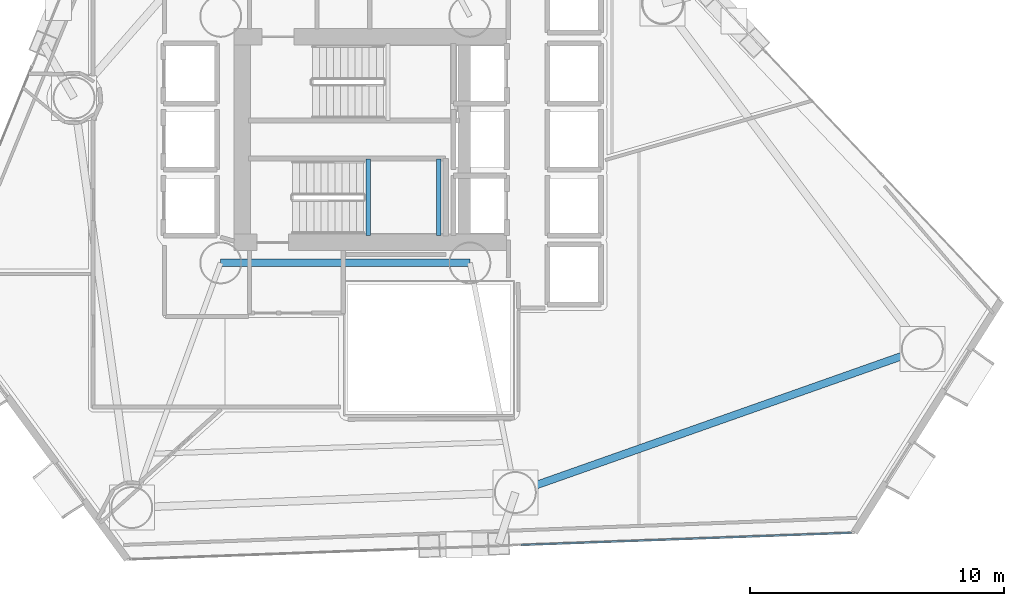
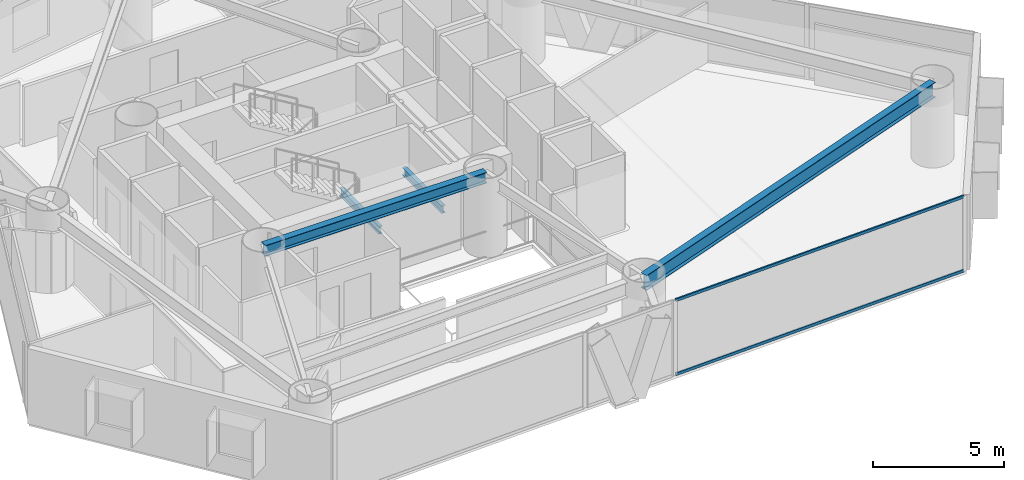
# One storey, part 7 of 23: 4 beams, 2 members, 1 element without a shape of its own.
"""IFC4 building model written with IfcOpenShell, lengths in metres."""

from ifc_helpers import new_model, si_unit, direction, frame, origin, origin_2d, place, context, subcontext, project, spatial, hollow_rectangle, i_section, extrude, material, layer, layer_set, material_profile, profile_set, type_object, element, aggregate, save


model = new_model("IFC4")

# Units and contexts
model_context = context("Model", 3, precision=1e-05, world=origin(), true_north=direction((0.0, 1.0)))
body_context = subcontext(model_context, "Body", "Model", "MODEL_VIEW")
ifc_project = project(units=[si_unit("LENGTHUNIT", "METRE"), si_unit("AREAUNIT", "SQUARE_METRE"), si_unit("VOLUMEUNIT", "CUBIC_METRE"), si_unit("PLANEANGLEUNIT", "RADIAN"), si_unit("MASSUNIT", "GRAM", prefix="KILO")], contexts=[model_context])

# Site, building, storey
site_placement = place(None, origin())
site = spatial("IfcSite", under=ifc_project, at=site_placement, CompositionType="ELEMENT")
building_placement = place(site_placement, origin())
building = spatial("IfcBuilding", under=site, at=building_placement, Name="Qianvela Tower", CompositionType="ELEMENT")
storey_placement = place(building_placement, frame((0.0, 0.0, 52.5)))
storey = spatial("IfcBuildingStorey", under=building, at=storey_placement, Name="L12", CompositionType="ELEMENT", Elevation=52.5)

# Beams
ifc_material_1 = material(Name="Steel Q355B", Category="steel")
ifc_material_profile_1 = material_profile(ifc_material_1, i_section(OverallWidth=0.300048828125, OverallDepth=0.5, WebThickness=0.010986328125, FlangeThickness=0.01806640625, at=origin_2d()), Name="HM500x300x11x18")
ifc_profile_set_1 = profile_set([ifc_material_profile_1], Name="Steel Q355B")
beam_type_1 = type_object("IfcBeamType", Name="BM-HM500-COLL", PredefinedType="BEAM", material=ifc_profile_set_1)
beam_1_placement = place(storey_placement, frame((28.60009765625, 23.85009765625, 3.26806640625), z_axis=(1.0, 0.0, 0.0), x_axis=(0.0, 1.0, 0.0)))
element("IfcBeam", 1, at=beam_1_placement, inside=storey, type_object=beam_type_1, Name="L12 Core Ring Collector Girder CC1", PredefinedType="BEAM", context=body_context, shape_type="SweptSolid", body=[
    extrude(i_section(OverallWidth=0.300048828125, OverallDepth=0.5, WebThickness=0.010986328125, FlangeThickness=0.01806640625, at=origin_2d()), origin(), (0.0, 0.0, 1.0), 9.7998046875),
])
ifc_material_2 = material(Name="Steel Q355B", Category="steel")
ifc_material_profile_2 = material_profile(ifc_material_2, i_section(OverallWidth=0.175048828125, OverallDepth=0.35009765625, WebThickness=0.007080078125, FlangeThickness=0.010986328125, at=origin_2d()), Name="HN350x175x7x11")
ifc_profile_set_2 = profile_set([ifc_material_profile_2], Name="Steel Q355B")
beam_type_2 = type_object("IfcBeamType", Name="BM-HN350-JOIST", PredefinedType="JOIST", material=ifc_profile_set_2)
for number, where, z_axis, x_axis, name in (
    (2, (34.39990234375, 24.919921875, 1.47509765625), (0.0, 1.0, 0.0), (-1.0, 0.0, 0.0), "L12 Stair ST-2 Landing Support Beam 1.1"),
    (3, (37.169921875, 24.919921875, 1.47509765625), (0.0, 1.0, 0.0), (-1.0, 0.0, 0.0), "L12 Stair ST-2 Landing Support Beam 1.2"),
):
    element("IfcBeam", number, at=place(storey_placement, frame(where, z_axis=z_axis, x_axis=x_axis)), inside=storey, type_object=beam_type_2, Name=name, PredefinedType="JOIST", context=body_context, shape_type="SweptSolid", body=[
        extrude(i_section(OverallWidth=0.175048828125, OverallDepth=0.35009765625, WebThickness=0.007080078125, FlangeThickness=0.010986328125, at=origin_2d()), origin(), (0.0, 0.0, 1.0), 3.02001953125),
    ])
ifc_material_3 = material(Name="Steel Q355B", Category="steel")
ifc_material_profile_3 = material_profile(ifc_material_3, i_section(OverallWidth=0.300048828125, OverallDepth=0.699951171875, WebThickness=0.012939453125, FlangeThickness=0.02392578125, at=origin_2d()), Name="HN700x300x13x24")
ifc_profile_set_3 = profile_set([ifc_material_profile_3], Name="Steel Q355B")
beam_type_3 = type_object("IfcBeamType", Name="BM-HN700-SPAND", PredefinedType="SPANDREL", material=ifc_profile_set_3)
beam_2_placement = place(storey_placement, frame((40.18896484375, 14.819091796875, 3.16796875), z_axis=(0.943021125648, 0.332732860687, 0.0), x_axis=(-0.332732860687, 0.943021125648, 0.0)))
element("IfcBeam", 4, at=beam_2_placement, inside=storey, type_object=beam_type_3, Name="L12 Perimeter Ring Spandrel Girder 6", PredefinedType="SPANDREL", context=body_context, shape_type="SweptSolid", body=[
    extrude(i_section(OverallWidth=0.300048828125, OverallDepth=0.699951171875, WebThickness=0.012939453125, FlangeThickness=0.02392578125, at=origin_2d()), origin(), (0.0, 0.0, 1.0), 16.977294921875),
])

# Curtain wall, members
ifc_material_4 = material(Name="Anodised Architectural Aluminium and Low-E Glass", Category="aluminium")
ifc_layer = layer(ifc_material_4, 0.179931640625)
ifc_layer_set = layer_set([ifc_layer], Name="Anodised Architectural Aluminium and Low-E Glass")
curtain_wall_type = type_object("IfcCurtainWallType", Name="CW-COLIV-Z12", PredefinedType="USERDEFINED", material=ifc_layer_set)
curtain_wall_placement = place(storey_placement, origin())
curtain_wall = element("IfcCurtainWall", 5, at=curtain_wall_placement, inside=storey, type_object=curtain_wall_type, Name="L12 CW-COLIV-Z12 Curtain Wall 06C", ObjectType="CURTAIN_WALL_SYSTEM", PredefinedType="USERDEFINED")
ifc_material_5 = material(Name="Anodised Architectural Aluminium 6063-T6", Category="aluminium")
ifc_material_profile_4 = material_profile(ifc_material_5, hollow_rectangle(XDim=0.06494140625, YDim=0.1298828125, WallThickness=0.00439453125, at=origin_2d()), Name="ALU-TRAN-65x130")
ifc_profile_set_4 = profile_set([ifc_material_profile_4], Name="Anodised Architectural Aluminium 6063-T6")
member_type = type_object("IfcMemberType", Name="CW-COLIV-Z12-TRAN", PredefinedType="USERDEFINED", material=ifc_profile_set_4)
member_1_placement = place(storey_placement, frame((40.40673828125, 12.755126953125, 0.032470703125), z_axis=(0.999319582317, 0.036883226507, 0.0), x_axis=(-0.036883226507, 0.999319582317, 0.0)))
member_1 = element("IfcMember", 6, at=member_1_placement, type_object=member_type, Name="CW-3 transom 1.1", ObjectType="TRANSOM", PredefinedType="USERDEFINED", context=body_context, shape_type="SweptSolid", body=[
    extrude(hollow_rectangle(XDim=0.06494140625, YDim=0.1298828125, WallThickness=0.00439453125, at=origin_2d()), origin(), (0.0, 0.0, 1.0), 13.0068359375),
])
member_2_placement = place(storey_placement, frame((40.40673828125, 12.755126953125, 3.487548828125), z_axis=(0.999319582317, 0.036883226507, 0.0), x_axis=(-0.036883226507, 0.999319582317, 0.0)))
member_2 = element("IfcMember", 7, at=member_2_placement, type_object=member_type, Name="CW-3 transom 1.2", ObjectType="TRANSOM", PredefinedType="USERDEFINED", context=body_context, shape_type="SweptSolid", body=[
    extrude(hollow_rectangle(XDim=0.06494140625, YDim=0.1298828125, WallThickness=0.00439453125, at=origin_2d()), origin(), (0.0, 0.0, 1.0), 13.0068359375),
])
aggregate(curtain_wall, [member_1, member_2])

save(model, "model.ifc")
